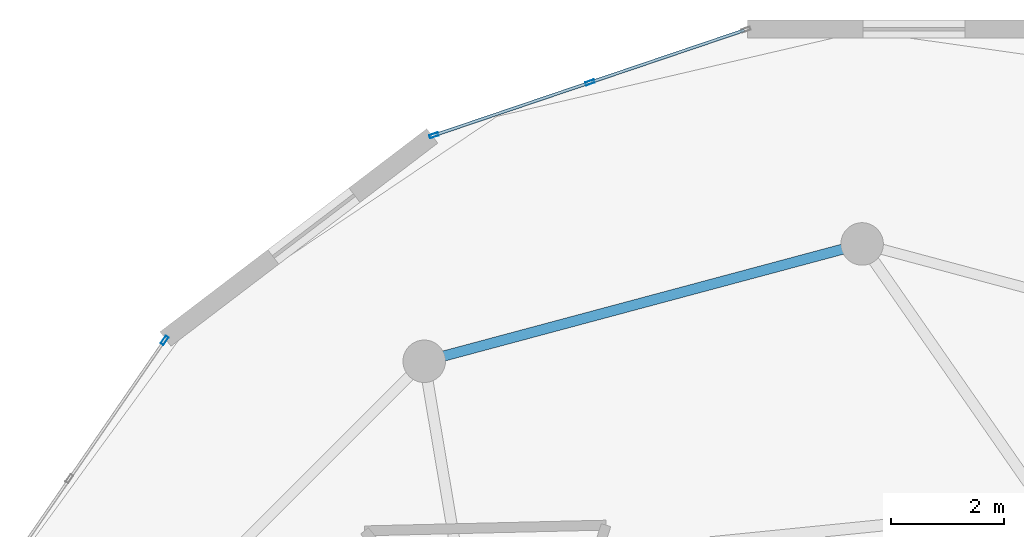
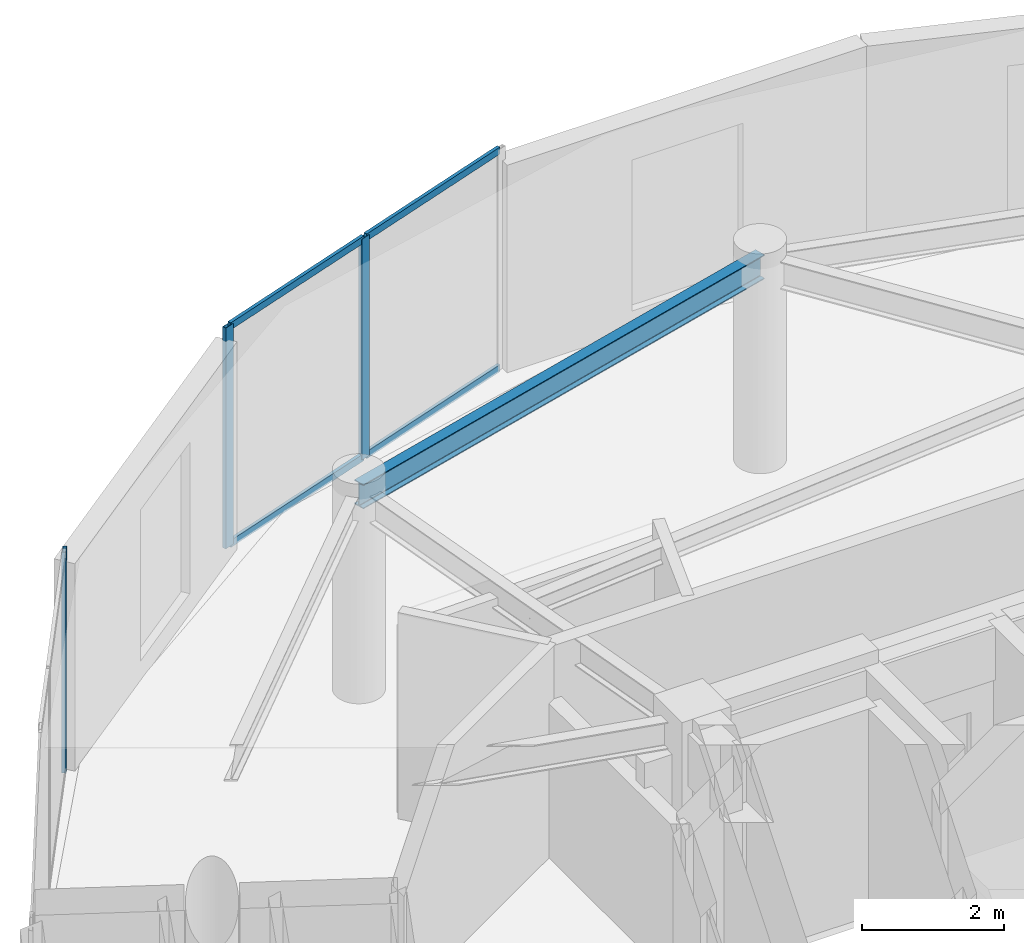
# One storey, part 10 of 18: 7 members, 1 beam, 2 elements without a shape of their own.
"""IFC4 building model written with IfcOpenShell, lengths in metres."""

from ifc_helpers import new_model, si_unit, direction, frame, origin, origin_2d, place, context, subcontext, project, spatial, hollow_rectangle, i_section, extrude, source, transform, mapped, material, layer, layer_set, material_profile, profile_set, type_object, element, aggregate, save


model = new_model("IFC4")

# Units and contexts
model_context = context("Model", 3, precision=1e-05, world=origin(), true_north=direction((0.0, 1.0)))
body_context = subcontext(model_context, "Body", "Model", "MODEL_VIEW")
ifc_project = project(units=[si_unit("LENGTHUNIT", "METRE"), si_unit("AREAUNIT", "SQUARE_METRE"), si_unit("VOLUMEUNIT", "CUBIC_METRE"), si_unit("PLANEANGLEUNIT", "RADIAN"), si_unit("MASSUNIT", "GRAM", prefix="KILO")], contexts=[model_context])

# Site, building, storey
site_placement = place(None, origin())
site = spatial("IfcSite", under=ifc_project, at=site_placement, CompositionType="ELEMENT")
building_placement = place(site_placement, origin())
building = spatial("IfcBuilding", under=site, at=building_placement, Name="Solvirekh Grand Hotel", CompositionType="ELEMENT")
storey_placement = place(building_placement, frame((0.0, 0.0, 250.60009765625)))
storey = spatial("IfcBuildingStorey", under=building, at=storey_placement, Name="L65", CompositionType="ELEMENT", Elevation=250.60009765625)

# Beam
ifc_material_1 = material(Name="Steel S355", Category="steel")
ifc_material_profile_1 = material_profile(ifc_material_1, i_section(OverallWidth=0.180908203125, OverallDepth=0.4169921875, WebThickness=0.010009765625, FlangeThickness=0.01611328125, FilletRadius=0.011962890625, at=origin_2d()), Name="W410X85")
ifc_profile_set_1 = profile_set([ifc_material_profile_1], Name="Steel S355")
beam_type = type_object("IfcBeamType", Name="Spandrel_Ring_W410", PredefinedType="SPANDREL", material=ifc_profile_set_1)
beam_placement = place(storey_placement, frame((0.0, 15.449951171875, 3.36181640625), z_axis=(-0.965921616143, -0.258834757072, 0.0), x_axis=(0.258834757072, -0.965921616143, 0.0)))
element("IfcBeam", 1, at=beam_placement, inside=storey, type_object=beam_type, Name="L65 perimeter spandrel beam 4", PredefinedType="SPANDREL", context=body_context, shape_type="SweptSolid", body=[
    extrude(i_section(OverallWidth=0.180908203125, OverallDepth=0.4169921875, WebThickness=0.010009765625, FlangeThickness=0.01611328125, FilletRadius=0.011962890625, at=origin_2d()), origin(), (0.0, 0.0, 1.0), 7.99755859375),
])

# Curtain wall, members
ifc_material_2 = material(Name="Anodized Bronze Aluminium 6063-T6", Category="aluminium")
ifc_layer = layer(ifc_material_2, 0.159912109375)
ifc_layer_set = layer_set([ifc_layer], Name="Anodized Bronze Aluminium 6063-T6")
curtain_wall_type = type_object("IfcCurtainWallType", Name="CW_Sys4_HighZoneFlushBronzeCW", PredefinedType="NOTDEFINED", material=ifc_layer_set)
curtain_wall_1_placement = place(storey_placement, origin())
curtain_wall_1 = element("IfcCurtainWall", 2, at=curtain_wall_1_placement, inside=storey, type_object=curtain_wall_type, Name="L65 unitised bronze-glass curtain wall CW-L65-C11", PredefinedType="NOTDEFINED")
ifc_material_profile_2 = material_profile(ifc_material_2, hollow_rectangle(XDim=0.06005859375, YDim=0.159912109375, WallThickness=0.0048828125, at=origin_2d()), Name="ALU RHS 160X60X5")
ifc_profile_set_2 = profile_set([ifc_material_profile_2], Name="Anodized Bronze Aluminium 6063-T6")
member_type_1 = type_object("IfcMemberType", Name="CWMullion_Sys4", PredefinedType="MULLION", material=ifc_profile_set_2)
shared_shape_1 = source(origin(), body_context, "Body", "SweptSolid", [
    extrude(hollow_rectangle(XDim=0.06005859375, YDim=0.159912109375, WallThickness=0.0048828125, at=origin_2d()), origin(), (0.0, 0.0, 1.0), 3.7998046875),
])
member_1_placement = place(storey_placement, frame((-4.802001953125, 18.298095703125, 0.0), z_axis=(0.0, 0.0, 1.0), x_axis=(0.32082181706, -0.947139568225, 0.0)))
member_1 = element("IfcMember", 3, at=member_1_placement, type_object=member_type_1, Name="U04 mullion 2", PredefinedType="MULLION", context=body_context, shape_type="MappedRepresentation", body=[
    mapped(shared_shape_1, transform((0.0, 0.0, 0.0), x_axis=(1.0, 0.0, 0.0), y_axis=(0.0, 1.0, 0.0), z_axis=(0.0, 0.0, 1.0), scale=1.0)),
])
member_2_placement = place(storey_placement, frame((-7.5546875, 17.36572265625, 0.0), z_axis=(0.0, 0.0, 1.0), x_axis=(0.32082181706, -0.947139568225, 0.0)))
member_2 = element("IfcMember", 4, at=member_2_placement, type_object=member_type_1, Name="U04 mullion 3", PredefinedType="MULLION", context=body_context, shape_type="MappedRepresentation", body=[
    mapped(shared_shape_1, transform((0.0, 0.0, 0.0), x_axis=(1.0, 0.0, 0.0), y_axis=(0.0, 1.0, 0.0), z_axis=(0.0, 0.0, 1.0), scale=1.0)),
])

# Curtain wall, member
curtain_wall_2_placement = place(storey_placement, origin())
curtain_wall_2 = element("IfcCurtainWall", 5, at=curtain_wall_2_placement, inside=storey, type_object=curtain_wall_type, Name="L65 unitised bronze-glass curtain wall CW-L65-C13", PredefinedType="NOTDEFINED")
member_3_placement = place(storey_placement, frame((-12.306884765625, 13.748291015625, 0.0), z_axis=(0.0, 0.0, 1.0), x_axis=(0.823968783493, -0.566635194661, 0.0)))
member_3 = element("IfcMember", 6, at=member_3_placement, type_object=member_type_1, Name="U04 mullion 1", PredefinedType="MULLION", context=body_context, shape_type="MappedRepresentation", body=[
    mapped(shared_shape_1, transform((0.0, 0.0, 0.0), x_axis=(1.0, 0.0, 0.0), y_axis=(0.0, 1.0, 0.0), z_axis=(0.0, 0.0, 1.0), scale=1.0)),
])
aggregate(curtain_wall_2, [member_3])

# Member
ifc_material_profile_3 = material_profile(ifc_material_2, hollow_rectangle(XDim=0.054931640625, YDim=0.1201171875, WallThickness=0.00390625, at=origin_2d()), Name="ALU RHS 120X55X4")
ifc_profile_set_3 = profile_set([ifc_material_profile_3], Name="Anodized Bronze Aluminium 6063-T6")
member_type_2 = type_object("IfcMemberType", Name="CWTransom_Sys4", PredefinedType="USERDEFINED", material=ifc_profile_set_3)
shared_shape_2 = source(origin(), body_context, "Body", "SweptSolid", [
    extrude(hollow_rectangle(XDim=0.054931640625, YDim=0.1201171875, WallThickness=0.00390625, at=origin_2d()), origin(), (0.0, 0.0, 1.0), 2.84619140625),
])
member_4_placement = place(storey_placement, frame((-2.077880859375, 19.220703125, 0.02734375), z_axis=(-0.947145416376, -0.320804551462, 0.0), x_axis=(0.320804551462, -0.947145416376, 0.0)))
member_4 = element("IfcMember", 7, at=member_4_placement, type_object=member_type_2, Name="U04 transom 1.1", ObjectType="TRANSOM", PredefinedType="USERDEFINED", context=body_context, shape_type="MappedRepresentation", body=[
    mapped(shared_shape_2, transform((0.0, 0.0, 0.0), x_axis=(1.0, 0.0, 0.0), y_axis=(0.0, 1.0, 0.0), z_axis=(0.0, 0.0, 1.0), scale=1.0)),
])

member_5_placement = place(storey_placement, frame((-2.077880859375, 19.220703125, 3.7724609375), z_axis=(-0.947145416376, -0.320804551462, 0.0), x_axis=(0.320804551462, -0.947145416376, 0.0)))
member_5 = element("IfcMember", 8, at=member_5_placement, type_object=member_type_2, Name="U04 transom 1.2", ObjectType="TRANSOM", PredefinedType="USERDEFINED", context=body_context, shape_type="MappedRepresentation", body=[
    mapped(shared_shape_2, transform((0.0, 0.0, 0.0), x_axis=(1.0, 0.0, 0.0), y_axis=(0.0, 1.0, 0.0), z_axis=(0.0, 0.0, 1.0), scale=1.0)),
])

member_6_placement = place(storey_placement, frame((-4.830322265625, 18.288330078125, 0.02734375), z_axis=(-0.947145416376, -0.320804551462, 0.0), x_axis=(0.320804551462, -0.947145416376, 0.0)))
member_6 = element("IfcMember", 9, at=member_6_placement, type_object=member_type_2, Name="U04 transom 2.1", ObjectType="TRANSOM", PredefinedType="USERDEFINED", context=body_context, shape_type="MappedRepresentation", body=[
    mapped(shared_shape_2, transform((0.0, 0.0, 0.0), x_axis=(1.0, 0.0, 0.0), y_axis=(0.0, 1.0, 0.0), z_axis=(0.0, 0.0, 1.0), scale=1.0)),
])

member_7_placement = place(storey_placement, frame((-4.830322265625, 18.288330078125, 3.7724609375), z_axis=(-0.947145416376, -0.320804551462, 0.0), x_axis=(0.320804551462, -0.947145416376, 0.0)))
member_7 = element("IfcMember", 10, at=member_7_placement, type_object=member_type_2, Name="U04 transom 2.2", ObjectType="TRANSOM", PredefinedType="USERDEFINED", context=body_context, shape_type="MappedRepresentation", body=[
    mapped(shared_shape_2, transform((0.0, 0.0, 0.0), x_axis=(1.0, 0.0, 0.0), y_axis=(0.0, 1.0, 0.0), z_axis=(0.0, 0.0, 1.0), scale=1.0)),
])

aggregate(curtain_wall_1, [member_1, member_2, member_4, member_5, member_6, member_7])

save(model, "model.ifc")
